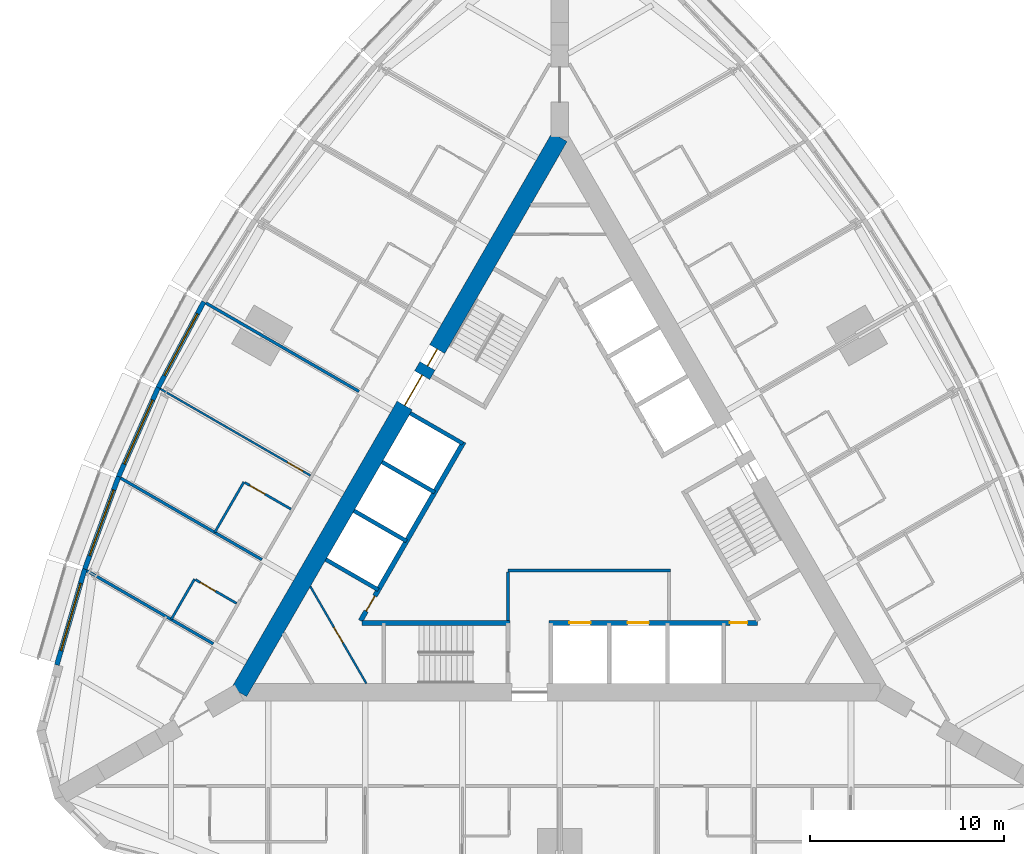
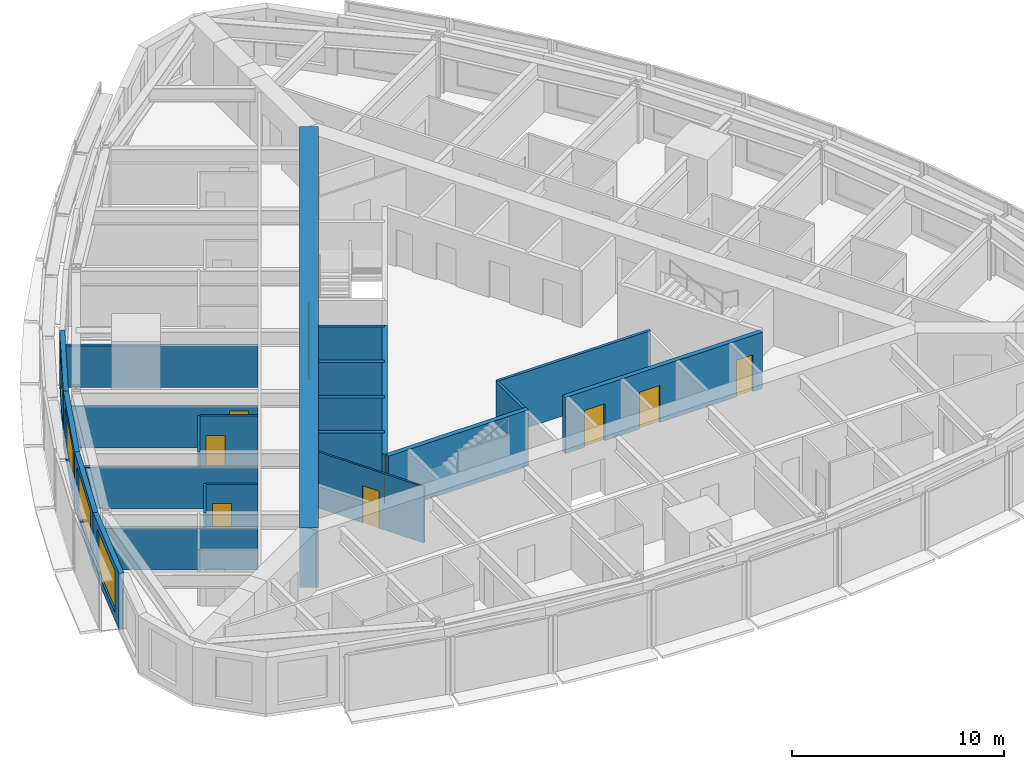
# One storey, part 9 of 14: 23 walls, 10 doors, 4 windows, 14 openings.
"""IFC4 building model written with IfcOpenShell, lengths in metres."""

from ifc_helpers import new_model, si_unit, direction, frame, frame_2d, origin, place, context, subcontext, project, spatial, rectangle, extrude, material, layer, layer_set, type_object, element, fill, save


model = new_model("IFC4")

# Units and contexts
model_context = context("Model", 3, precision=1e-05, world=origin(), true_north=direction((0.0, 1.0)))
body_context = subcontext(model_context, "Body", "Model", "MODEL_VIEW")
ifc_project = project(units=[si_unit("LENGTHUNIT", "METRE"), si_unit("AREAUNIT", "SQUARE_METRE"), si_unit("VOLUMEUNIT", "CUBIC_METRE"), si_unit("PLANEANGLEUNIT", "RADIAN"), si_unit("MASSUNIT", "GRAM", prefix="KILO")], contexts=[model_context])

# Site, building, storey
site_placement = place(None, origin())
site = spatial("IfcSite", under=ifc_project, at=site_placement, CompositionType="ELEMENT")
building_placement = place(site_placement, origin())
building = spatial("IfcBuilding", under=site, at=building_placement, Name="Trikona Tower", CompositionType="ELEMENT")
storey_placement = place(building_placement, frame((0.0, 0.0, 138.5)))
storey = spatial("IfcBuildingStorey", under=building, at=storey_placement, Name="L36", CompositionType="ELEMENT", Elevation=138.5)

# Wall
ifc_material_1 = material(Name="Metal stud and cement board", Category="gypsum")
ifc_layer_1 = layer(ifc_material_1, 0.1201171875)
ifc_layer_set_1 = layer_set([ifc_layer_1], Name="Bathroom wall 120")
wall_type_1 = type_object("IfcWallType", Name="Bathroom wall 120", PredefinedType="PLUMBINGWALL", material=ifc_layer_set_1)
wall_1_placement = place(storey_placement, frame((-16.25341796875, 1.301025390625, 0.0), z_axis=(0.0, 0.0, 1.0), x_axis=(-0.499990139034, -0.866031096941, 0.0)))
element("IfcWall", 1, at=wall_1_placement, inside=storey, type_object=wall_type_1, Name="Bathroom wall 3614.1", PredefinedType="PLUMBINGWALL", context=body_context, shape_type="SweptSolid", body=[
    extrude(rectangle(XDim=3.0, YDim=0.1201171875, at=frame_2d((1.5, 0.0))), origin(), (0.0, 0.0, 1.0), 3.235107421875),
])

# Wall, opening, door
wall_2_placement = place(storey_placement, frame((-13.82861328125, -0.09912109375, 0.0), z_axis=(0.0, 0.0, 1.0), x_axis=(-0.865997131366, 0.500048966069, 0.0)))
wall_2 = element("IfcWall", 2, at=wall_2_placement, inside=storey, type_object=wall_type_1, Name="Bathroom wall 3614.1", PredefinedType="PLUMBINGWALL", context=body_context, shape_type="SweptSolid", body=[
    extrude(rectangle(XDim=2.739990234375, YDim=0.1201171875, at=frame_2d((1.3701171875, 0.0))), origin(), (0.0, 0.0, 1.0), 3.235107421875),
])
opening_1_placement = place(wall_2_placement, frame((1.550048828125, 0.0, 0.0)))
opening_1 = element("IfcOpeningElement", 3, at=opening_1_placement, cuts=wall_2, Name="Opening D2", PredefinedType="OPENING", context=body_context, shape_type="SweptSolid", body=[
    extrude(rectangle(XDim=0.89990234375, YDim=2.1298828125, at=frame_2d((0.449951171875, 1.06494140625))), frame((0.0, 0.070068359375, 0.0), z_axis=(0.0, -1.0, 0.0), x_axis=(1.0, 0.0, 0.0)), (0.0, 0.0, 1.0), 0.14013671875),
])
ifc_material_2 = material(Name="Steel door frame with solid-core timber leaf", Category="steel")
door_type_1 = type_object("IfcDoorType", Name="Bathroom door 900x2130", OperationType="SLIDING_TO_LEFT", PredefinedType="DOOR", material=ifc_material_2)
door_1_placement = place(opening_1_placement, origin())
door_1 = element("IfcDoor", 4, at=door_1_placement, inside=storey, type_object=door_type_1, Name="Bathroom door 3614.1", OperationType="SLIDING_TO_LEFT", OverallHeight=2.1298828125, OverallWidth=0.89990234375, PredefinedType="DOOR", context=body_context, shape_type="SweptSolid", body=[
    extrude(rectangle(XDim=0.89990234375, YDim=2.1298828125, at=frame_2d((0.449951171875, 1.06494140625))), frame((0.0, 0.02490234375, 0.0), z_axis=(0.0, -1.0, 0.0), x_axis=(1.0, 0.0, 0.0)), (0.0, 0.0, 1.0), 0.050048828125),
])
fill(opening_1, door_1)

# Wall
wall_3_placement = place(storey_placement, frame((-18.79345703125, -3.69873046875, 0.0), z_axis=(0.0, 0.0, 1.0), x_axis=(-0.500001309137, -0.866024647952, 0.0)))
element("IfcWall", 5, at=wall_3_placement, inside=storey, type_object=wall_type_1, Name="Bathroom wall 3615", PredefinedType="PLUMBINGWALL", context=body_context, shape_type="SweptSolid", body=[
    extrude(rectangle(XDim=2.39990234375, YDim=0.1201171875, at=frame_2d((1.199951171875, 0.0))), origin(), (0.0, 0.0, 1.0), 3.235107421875),
])

# Wall, opening, door
wall_4_placement = place(storey_placement, frame((-16.62841796875, -4.94873046875, 0.0), z_axis=(0.0, 0.0, 1.0), x_axis=(-0.866048967903, 0.499959183527, 0.0)))
wall_4 = element("IfcWall", 6, at=wall_4_placement, inside=storey, type_object=wall_type_1, Name="Bathroom wall 3615", PredefinedType="PLUMBINGWALL", context=body_context, shape_type="SweptSolid", body=[
    extrude(rectangle(XDim=2.440185546875, YDim=0.1201171875, at=frame_2d((1.22021484375, 0.0))), origin(), (0.0, 0.0, 1.0), 3.235107421875),
])
opening_2_placement = place(wall_4_placement, frame((1.25, 0.0, 0.0)))
opening_2 = element("IfcOpeningElement", 7, at=opening_2_placement, cuts=wall_4, Name="Opening D2", PredefinedType="OPENING", context=body_context, shape_type="SweptSolid", body=[
    extrude(rectangle(XDim=0.89990234375, YDim=2.1298828125, at=frame_2d((0.449951171875, 1.06494140625))), frame((0.0, 0.070068359375, 0.0), z_axis=(0.0, -1.0, 0.0), x_axis=(1.0, 0.0, 0.0)), (0.0, 0.0, 1.0), 0.14013671875),
])
door_2_placement = place(opening_2_placement, origin())
door_2 = element("IfcDoor", 8, at=door_2_placement, inside=storey, type_object=door_type_1, Name="Bathroom door 3615", OperationType="SLIDING_TO_LEFT", OverallHeight=2.1298828125, OverallWidth=0.89990234375, PredefinedType="DOOR", context=body_context, shape_type="SweptSolid", body=[
    extrude(rectangle(XDim=0.89990234375, YDim=2.1298828125, at=frame_2d((0.449951171875, 1.06494140625))), frame((0.0, 0.02490234375, 0.0), z_axis=(0.0, -1.0, 0.0), x_axis=(1.0, 0.0, 0.0)), (0.0, 0.0, 1.0), 0.050048828125),
])
fill(opening_2, door_2)

# Wall, openings, doors
ifc_material_3 = material(Name="Concrete f'c 10000 psi", Category="concrete")
ifc_layer_2 = layer(ifc_material_3, 0.89990234375)
ifc_layer_set_2 = layer_set([ifc_layer_2], Name="Core wall 900")
wall_type_2 = type_object("IfcWallType", Name="Core wall 900", PredefinedType="SHEAR", material=ifc_layer_set_2)
wall_5_placement = place(storey_placement, frame((0.0, 19.052490234375, 0.0), z_axis=(0.0, 0.0, 1.0), x_axis=(-0.499999749417, -0.866025548458, 0.0)))
wall_5 = element("IfcWall", 9, at=wall_5_placement, inside=storey, type_object=wall_type_2, Name="Core wall C", PredefinedType="SHEAR", context=body_context, shape_type="SweptSolid", body=[
    extrude(rectangle(XDim=33.0, YDim=0.89990234375, at=frame_2d((16.5, 0.0))), origin(), (0.0, 0.0, 1.0), 3.39990234375),
])
opening_3_placement = place(wall_5_placement, frame((14.14990234375, 0.0, 0.0)))
opening_3 = element("IfcOpeningElement", 10, at=opening_3_placement, cuts=wall_5, Name="Opening D6", PredefinedType="OPENING", context=body_context, shape_type="SweptSolid", body=[
    extrude(rectangle(XDim=1.800048828125, YDim=2.1298828125, at=frame_2d((0.89990234375, 1.06494140625))), frame((0.0, 0.4599609375, 0.0), z_axis=(0.0, -1.0, 0.0), x_axis=(1.0, 0.0, 0.0)), (0.0, 0.0, 1.0), 0.919921875),
])
opening_4_placement = place(wall_5_placement, frame((12.60009765625, 0.0, 0.0)))
opening_4 = element("IfcOpeningElement", 11, at=opening_4_placement, cuts=wall_5, Name="Opening D5", PredefinedType="OPENING", context=body_context, shape_type="SweptSolid", body=[
    extrude(rectangle(XDim=1.0, YDim=2.1298828125, at=frame_2d((0.5, 1.06494140625))), frame((0.0, 0.4599609375, 0.0), z_axis=(0.0, -1.0, 0.0), x_axis=(1.0, 0.0, 0.0)), (0.0, 0.0, 1.0), 0.919921875),
])
ifc_material_4 = material(Name="Hollow metal door and frame", Category="steel")
door_type_2 = type_object("IfcDoorType", Name="Lobby door pair 1800x2130", OperationType="DOUBLE_DOOR_SINGLE_SWING", PredefinedType="DOOR", material=ifc_material_4)
door_3_placement = place(opening_3_placement, origin())
door_3 = element("IfcDoor", 12, at=door_3_placement, inside=storey, type_object=door_type_2, Name="Lift lobby door C", OperationType="DOUBLE_DOOR_SINGLE_SWING", OverallHeight=2.1298828125, OverallWidth=1.800048828125, PredefinedType="DOOR", context=body_context, shape_type="SweptSolid", body=[
    extrude(rectangle(XDim=1.800048828125, YDim=2.1298828125, at=frame_2d((0.89990234375, 1.06494140625))), frame((0.0, 0.02490234375, 0.0), z_axis=(0.0, -1.0, 0.0), x_axis=(1.0, 0.0, 0.0)), (0.0, 0.0, 1.0), 0.050048828125),
])
fill(opening_3, door_3)
ifc_material_5 = material(Name="Hollow metal door and frame", Category="steel")
door_type_3 = type_object("IfcDoorType", Name="Stair door 1000x2130", OperationType="SINGLE_SWING_LEFT", PredefinedType="DOOR", material=ifc_material_5)
door_4_placement = place(opening_4_placement, origin())
door_4 = element("IfcDoor", 13, at=door_4_placement, inside=storey, type_object=door_type_3, Name="Stair C door", OperationType="SINGLE_SWING_RIGHT", OverallHeight=2.1298828125, OverallWidth=1.0, PredefinedType="DOOR", context=body_context, shape_type="SweptSolid", body=[
    extrude(rectangle(XDim=1.0, YDim=2.1298828125, at=frame_2d((0.5, 1.06494140625))), frame((0.0, 0.02490234375, 0.0), z_axis=(0.0, -1.0, 0.0), x_axis=(1.0, 0.0, 0.0)), (0.0, 0.0, 1.0), 0.050048828125),
])
fill(opening_4, door_4)

# Wall
ifc_material_6 = material(Name="Concrete f'c 8000 psi", Category="concrete")
ifc_layer_3 = layer(ifc_material_6, 0.25)
ifc_layer_set_3 = layer_set([ifc_layer_3], Name="Hub wall 250")
wall_type_3 = type_object("IfcWallType", Name="Hub wall 250", PredefinedType="SOLIDWALL", material=ifc_layer_set_3)
wall_6_placement = place(storey_placement, frame((-10.182861328125, -5.951416015625, 0.0), z_axis=(0.0, 0.0, 1.0), x_axis=(1.0, 0.0, 0.0)))
element("IfcWall", 14, at=wall_6_placement, inside=storey, type_object=wall_type_3, Name="Lift lobby wall A1", PredefinedType="SOLIDWALL", context=body_context, shape_type="SweptSolid", body=[
    extrude(rectangle(XDim=7.6328125, YDim=0.25, at=frame_2d((3.81640625, 0.0))), origin(), (0.0, 0.0, 1.0), 3.235107421875),
])

# Wall, openings, doors
wall_7_placement = place(storey_placement, frame((-0.550048828125, -5.951416015625, 0.0), z_axis=(0.0, 0.0, 1.0), x_axis=(1.0, 0.0, 0.0)))
wall_7 = element("IfcWall", 15, at=wall_7_placement, inside=storey, type_object=wall_type_3, Name="Lift lobby wall A2", PredefinedType="SOLIDWALL", context=body_context, shape_type="SweptSolid", body=[
    extrude(rectangle(XDim=10.73291015625, YDim=0.25, at=frame_2d((5.366455078125, 0.0))), origin(), (0.0, 0.0, 1.0), 3.235107421875),
])
opening_5_placement = place(wall_7_placement, frame((9.31396484375, 0.0, 0.0)))
opening_5 = element("IfcOpeningElement", 16, at=opening_5_placement, cuts=wall_7, Name="Opening D14", PredefinedType="OPENING", context=body_context, shape_type="SweptSolid", body=[
    extrude(rectangle(XDim=0.89990234375, YDim=2.1298828125, at=frame_2d((0.449951171875, 1.06494140625))), frame((0.0, 0.135009765625, 0.0), z_axis=(0.0, -1.0, 0.0), x_axis=(1.0, 0.0, 0.0)), (0.0, 0.0, 1.0), 0.27001953125),
])
opening_6_placement = place(wall_7_placement, frame((1.050048828125, 0.0, 0.0)))
opening_6 = element("IfcOpeningElement", 17, at=opening_6_placement, cuts=wall_7, Name="Opening LD", PredefinedType="OPENING", context=body_context, shape_type="SweptSolid", body=[
    extrude(rectangle(XDim=1.10009765625, YDim=2.1298828125, at=frame_2d((0.550048828125, 1.06494140625))), frame((0.0, 0.135009765625, 0.0), z_axis=(0.0, -1.0, 0.0), x_axis=(1.0, 0.0, 0.0)), (0.0, 0.0, 1.0), 0.27001953125),
])
opening_7_placement = place(wall_7_placement, frame((4.050048828125, 0.0, 0.0)))
opening_7 = element("IfcOpeningElement", 18, at=opening_7_placement, cuts=wall_7, Name="Opening LD", PredefinedType="OPENING", context=body_context, shape_type="SweptSolid", body=[
    extrude(rectangle(XDim=1.10009765625, YDim=2.1298828125, at=frame_2d((0.550048828125, 1.06494140625))), frame((0.0, 0.135009765625, 0.0), z_axis=(0.0, -1.0, 0.0), x_axis=(1.0, 0.0, 0.0)), (0.0, 0.0, 1.0), 0.27001953125),
])
ifc_material_7 = material(Name="Stainless steel lift landing door", Category="steel")
door_type_4 = type_object("IfcDoorType", Name="Lift landing door 1100x2130", OperationType="DOUBLE_DOOR_SLIDING", PredefinedType="USERDEFINED", material=ifc_material_7)
door_5_placement = place(opening_6_placement, origin())
door_5 = element("IfcDoor", 19, at=door_5_placement, inside=storey, type_object=door_type_4, Name="Lift landing door FF1", ObjectType="LIFT LANDING DOOR", OperationType="DOUBLE_DOOR_SLIDING", OverallHeight=2.1298828125, OverallWidth=1.10009765625, PredefinedType="USERDEFINED", context=body_context, shape_type="SweptSolid", body=[
    extrude(rectangle(XDim=1.10009765625, YDim=2.1298828125, at=frame_2d((0.550048828125, 1.06494140625))), frame((0.0, 0.02490234375, 0.0), z_axis=(0.0, -1.0, 0.0), x_axis=(1.0, 0.0, 0.0)), (0.0, 0.0, 1.0), 0.050048828125),
])
fill(opening_6, door_5)
door_6_placement = place(opening_7_placement, origin())
door_6 = element("IfcDoor", 20, at=door_6_placement, inside=storey, type_object=door_type_4, Name="Lift landing door FF2", ObjectType="LIFT LANDING DOOR", OperationType="DOUBLE_DOOR_SLIDING", OverallHeight=2.1298828125, OverallWidth=1.10009765625, PredefinedType="USERDEFINED", context=body_context, shape_type="SweptSolid", body=[
    extrude(rectangle(XDim=1.10009765625, YDim=2.1298828125, at=frame_2d((0.550048828125, 1.06494140625))), frame((0.0, 0.02490234375, 0.0), z_axis=(0.0, -1.0, 0.0), x_axis=(1.0, 0.0, 0.0)), (0.0, 0.0, 1.0), 0.050048828125),
])
fill(opening_7, door_6)
ifc_material_8 = material(Name="Hollow metal door and frame", Category="steel")
door_type_5 = type_object("IfcDoorType", Name="Service room door 900x2130", OperationType="SINGLE_SWING_LEFT", PredefinedType="DOOR", material=ifc_material_8)
door_7_placement = place(opening_5_placement, origin())
door_7 = element("IfcDoor", 21, at=door_7_placement, inside=storey, type_object=door_type_5, Name="Door Ice and vending ICE", OperationType="SINGLE_SWING_RIGHT", OverallHeight=2.1298828125, OverallWidth=0.89990234375, PredefinedType="DOOR", context=body_context, shape_type="SweptSolid", body=[
    extrude(rectangle(XDim=0.89990234375, YDim=2.1298828125, at=frame_2d((0.449951171875, 1.06494140625))), frame((0.0, 0.02490234375, 0.0), z_axis=(0.0, -1.0, 0.0), x_axis=(1.0, 0.0, 0.0)), (0.0, 0.0, 1.0), 0.050048828125),
])
fill(opening_5, door_7)

# Wall, opening, door
wall_8_placement = place(storey_placement, frame((-4.928955078125, 3.365478515625, 0.0), z_axis=(0.0, 0.0, 1.0), x_axis=(-0.499991433582, -0.866030349552, 0.0)))
wall_8 = element("IfcWall", 22, at=wall_8_placement, inside=storey, type_object=wall_type_3, Name="Lift lobby wall C2", PredefinedType="SOLIDWALL", context=body_context, shape_type="SweptSolid", body=[
    extrude(rectangle(XDim=10.633056640625, YDim=0.25, at=frame_2d((5.31640625, 0.0))), origin(), (0.0, 0.0, 1.0), 3.235107421875),
])
opening_8_placement = place(wall_8_placement, frame((9.1640625, 0.0, 0.0)))
opening_8 = element("IfcOpeningElement", 23, at=opening_8_placement, cuts=wall_8, Name="Opening D14", PredefinedType="OPENING", context=body_context, shape_type="SweptSolid", body=[
    extrude(rectangle(XDim=0.89990234375, YDim=2.1298828125, at=frame_2d((0.449951171875, 1.06494140625))), frame((0.0, 0.135009765625, 0.0), z_axis=(0.0, -1.0, 0.0), x_axis=(1.0, 0.0, 0.0)), (0.0, 0.0, 1.0), 0.27001953125),
])
door_8_placement = place(opening_8_placement, origin())
door_8 = element("IfcDoor", 24, at=door_8_placement, inside=storey, type_object=door_type_5, Name="Door Linen store LIN", OperationType="SINGLE_SWING_RIGHT", OverallHeight=2.1298828125, OverallWidth=0.89990234375, PredefinedType="DOOR", context=body_context, shape_type="SweptSolid", body=[
    extrude(rectangle(XDim=0.89990234375, YDim=2.1298828125, at=frame_2d((0.449951171875, 1.06494140625))), frame((0.0, 0.02490234375, 0.0), z_axis=(0.0, -1.0, 0.0), x_axis=(1.0, 0.0, 0.0)), (0.0, 0.0, 1.0), 0.050048828125),
])
fill(opening_8, door_8)

# Wall, opening, window
ifc_material_9 = material(Name="Insulated precast concrete spandrel panel", Category="concrete")
ifc_layer_4 = layer(ifc_material_9, 0.25)
ifc_layer_set_4 = layer_set([ifc_layer_4], Name="Inner skin wall 250")
wall_type_4 = type_object("IfcWallType", Name="Inner skin wall 250", PredefinedType="STANDARD", material=ifc_layer_set_4)
wall_9_placement = place(storey_placement, frame((-18.314453125, 10.578857421875, 0.0), z_axis=(0.0, 0.0, 1.0), x_axis=(-0.469404966864, -0.882982999317, 0.0)))
wall_9 = element("IfcWall", 25, at=wall_9_placement, inside=storey, type_object=wall_type_4, Name="External wall L36-28", PredefinedType="STANDARD", context=body_context, shape_type="SweptSolid", body=[
    extrude(rectangle(XDim=5.0029296875, YDim=0.25, at=frame_2d((2.50146484375, 0.0))), origin(), (0.0, 0.0, 1.0), 3.235107421875),
])
opening_9_placement = place(wall_9_placement, frame((0.701416015625, 0.0, 0.449951171875)))
opening_9 = element("IfcOpeningElement", 26, at=opening_9_placement, cuts=wall_9, Name="Opening W3624", PredefinedType="OPENING", context=body_context, shape_type="SweptSolid", body=[
    extrude(rectangle(XDim=3.60009765625, YDim=2.39990234375, at=frame_2d((1.800048828125, 1.199951171875))), frame((0.0, 0.135009765625, 0.0), z_axis=(0.0, -1.0, 0.0), x_axis=(1.0, 0.0, 0.0)), (0.0, 0.0, 1.0), 0.27001953125),
])
ifc_material_10 = material(Name="Aluminium-framed double glazing", Category="aluminium")
window_type = type_object("IfcWindowType", Name="Window 3600x2400", PartitioningType="SINGLE_PANEL", PredefinedType="WINDOW", material=ifc_material_10)
window_1_placement = place(opening_9_placement, origin())
window_1 = element("IfcWindow", 27, at=window_1_placement, inside=storey, type_object=window_type, Name="Window 3614", OverallHeight=2.39990234375, OverallWidth=3.60009765625, PartitioningType="SINGLE_PANEL", PredefinedType="WINDOW", context=body_context, shape_type="SweptSolid", body=[
    extrude(rectangle(XDim=3.60009765625, YDim=2.39990234375, at=frame_2d((1.800048828125, 1.199951171875))), frame((0.0, 0.030029296875, 0.0), z_axis=(0.0, -1.0, 0.0), x_axis=(1.0, 0.0, 0.0)), (0.0, 0.0, 1.0), 0.06005859375),
])
fill(opening_9, window_1)

wall_10_placement = place(storey_placement, frame((-20.6591796875, 6.169189453125, 0.0), z_axis=(0.0, 0.0, 1.0), x_axis=(-0.406832200364, -0.913502906808, 0.0)))
wall_10 = element("IfcWall", 28, at=wall_10_placement, inside=storey, type_object=wall_type_4, Name="External wall L36-29", PredefinedType="STANDARD", context=body_context, shape_type="SweptSolid", body=[
    extrude(rectangle(XDim=5.027587890625, YDim=0.25, at=frame_2d((2.513671875, 0.0))), origin(), (0.0, 0.0, 1.0), 3.235107421875),
])
opening_10_placement = place(wall_10_placement, frame((0.713623046875, 0.0, 0.449951171875)))
opening_10 = element("IfcOpeningElement", 29, at=opening_10_placement, cuts=wall_10, Name="Opening W3624", PredefinedType="OPENING", context=body_context, shape_type="SweptSolid", body=[
    extrude(rectangle(XDim=3.60009765625, YDim=2.39990234375, at=frame_2d((1.800048828125, 1.199951171875))), frame((0.0, 0.135009765625, 0.0), z_axis=(0.0, -1.0, 0.0), x_axis=(1.0, 0.0, 0.0)), (0.0, 0.0, 1.0), 0.27001953125),
])
window_2_placement = place(opening_10_placement, origin())
window_2 = element("IfcWindow", 30, at=window_2_placement, inside=storey, type_object=window_type, Name="Window 3614.1", OverallHeight=2.39990234375, OverallWidth=3.60009765625, PartitioningType="SINGLE_PANEL", PredefinedType="WINDOW", context=body_context, shape_type="SweptSolid", body=[
    extrude(rectangle(XDim=3.60009765625, YDim=2.39990234375, at=frame_2d((1.800048828125, 1.199951171875))), frame((0.0, 0.030029296875, 0.0), z_axis=(0.0, -1.0, 0.0), x_axis=(1.0, 0.0, 0.0)), (0.0, 0.0, 1.0), 0.06005859375),
])
fill(opening_10, window_2)

wall_11_placement = place(storey_placement, frame((-22.701416015625, 1.58447265625, 0.0), z_axis=(0.0, 0.0, 1.0), x_axis=(-0.343225593282, -0.939252996863, 0.0)))
wall_11 = element("IfcWall", 31, at=wall_11_placement, inside=storey, type_object=wall_type_4, Name="External wall L36-30", PredefinedType="STANDARD", context=body_context, shape_type="SweptSolid", body=[
    extrude(rectangle(XDim=5.075927734375, YDim=0.25, at=frame_2d((2.5380859375, 0.0))), origin(), (0.0, 0.0, 1.0), 3.235107421875),
])
opening_11_placement = place(wall_11_placement, frame((0.738037109375, 0.0, 0.449951171875)))
opening_11 = element("IfcOpeningElement", 32, at=opening_11_placement, cuts=wall_11, Name="Opening W3624", PredefinedType="OPENING", context=body_context, shape_type="SweptSolid", body=[
    extrude(rectangle(XDim=3.60009765625, YDim=2.39990234375, at=frame_2d((1.800048828125, 1.199951171875))), frame((0.0, 0.135009765625, 0.0), z_axis=(0.0, -1.0, 0.0), x_axis=(1.0, 0.0, 0.0)), (0.0, 0.0, 1.0), 0.27001953125),
])
window_3_placement = place(opening_11_placement, origin())
window_3 = element("IfcWindow", 33, at=window_3_placement, inside=storey, type_object=window_type, Name="Window 3615", OverallHeight=2.39990234375, OverallWidth=3.60009765625, PartitioningType="SINGLE_PANEL", PredefinedType="WINDOW", context=body_context, shape_type="SweptSolid", body=[
    extrude(rectangle(XDim=3.60009765625, YDim=2.39990234375, at=frame_2d((1.800048828125, 1.199951171875))), frame((0.0, 0.030029296875, 0.0), z_axis=(0.0, -1.0, 0.0), x_axis=(1.0, 0.0, 0.0)), (0.0, 0.0, 1.0), 0.06005859375),
])
fill(opening_11, window_3)

wall_12_placement = place(storey_placement, frame((-24.44091796875, -3.17529296875, 0.0), z_axis=(0.0, 0.0, 1.0), x_axis=(-0.279528287117, -0.960137457191, 0.0)))
wall_12 = element("IfcWall", 34, at=wall_12_placement, inside=storey, type_object=wall_type_4, Name="External wall L36-31", PredefinedType="STANDARD", context=body_context, shape_type="SweptSolid", body=[
    extrude(rectangle(XDim=5.14794921875, YDim=0.25, at=frame_2d((2.573974609375, 0.0))), origin(), (0.0, 0.0, 1.0), 3.235107421875),
])
opening_12_placement = place(wall_12_placement, frame((0.77392578125, 0.0, 0.449951171875)))
opening_12 = element("IfcOpeningElement", 35, at=opening_12_placement, cuts=wall_12, Name="Opening W3624", PredefinedType="OPENING", context=body_context, shape_type="SweptSolid", body=[
    extrude(rectangle(XDim=3.60009765625, YDim=2.39990234375, at=frame_2d((1.800048828125, 1.199951171875))), frame((0.0, 0.135009765625, 0.0), z_axis=(0.0, -1.0, 0.0), x_axis=(1.0, 0.0, 0.0)), (0.0, 0.0, 1.0), 0.27001953125),
])
window_4_placement = place(opening_12_placement, origin())
window_4 = element("IfcWindow", 36, at=window_4_placement, inside=storey, type_object=window_type, Name="Window 3616", OverallHeight=2.39990234375, OverallWidth=3.60009765625, PartitioningType="SINGLE_PANEL", PredefinedType="WINDOW", context=body_context, shape_type="SweptSolid", body=[
    extrude(rectangle(XDim=3.60009765625, YDim=2.39990234375, at=frame_2d((1.800048828125, 1.199951171875))), frame((0.0, 0.030029296875, 0.0), z_axis=(0.0, -1.0, 0.0), x_axis=(1.0, 0.0, 0.0)), (0.0, 0.0, 1.0), 0.06005859375),
])
fill(opening_12, window_4)

# Walls
ifc_material_11 = material(Name="Metal stud and gypsum board, 2-hour shaft wall", Category="gypsum")
ifc_layer_5 = layer(ifc_material_11, 0.14990234375)
ifc_layer_set_5 = layer_set([ifc_layer_5], Name="Lobby wall 150")
wall_type_5 = type_object("IfcWallType", Name="Lobby wall 150", PredefinedType="PARTITIONING", material=ifc_layer_set_5)
wall_13_placement = place(storey_placement, frame((-2.64990234375, -3.251220703125, 0.0), z_axis=(0.0, 0.0, 1.0), x_axis=(1.0, 0.0, 0.0)))
element("IfcWall", 37, at=wall_13_placement, inside=storey, type_object=wall_type_5, Name="Fire service lift lobby wall 1", PredefinedType="PARTITIONING", context=body_context, shape_type="SweptSolid", body=[
    extrude(rectangle(XDim=8.349853515625, YDim=0.14990234375, at=frame_2d((4.1748046875, 0.0))), origin(), (0.0, 0.0, 1.0), 3.235107421875),
])
wall_14_placement = place(storey_placement, frame((-2.64990234375, -5.826416015625, 0.0), z_axis=(0.0, 0.0, 1.0), x_axis=(0.0, 1.0, 0.0)))
element("IfcWall", 38, at=wall_14_placement, inside=storey, type_object=wall_type_5, Name="Fire service lift lobby wall 2", PredefinedType="PARTITIONING", context=body_context, shape_type="SweptSolid", body=[
    extrude(rectangle(XDim=2.5, YDim=0.14990234375, at=frame_2d((1.25, 0.0))), origin(), (0.0, 0.0, 1.0), 3.235107421875),
])
ifc_material_12 = material(Name="Metal stud and gypsum board, 1-hour acoustic", Category="gypsum")
ifc_layer_6 = layer(ifc_material_12, 0.14990234375)
ifc_layer_set_6 = layer_set([ifc_layer_6], Name="Party wall 150")
wall_type_6 = type_object("IfcWallType", Name="Party wall 150", PredefinedType="PARTITIONING", material=ifc_layer_set_6)
wall_15_placement = place(storey_placement, frame((-10.32861328125, 5.963134765625, 0.0), z_axis=(0.0, 0.0, 1.0), x_axis=(-0.866025170687, 0.500000403736, 0.0)))
element("IfcWall", 39, at=wall_15_placement, inside=storey, type_object=wall_type_6, Name="Partition L36 F3 u0", PredefinedType="PARTITIONING", context=body_context, shape_type="SweptSolid", body=[
    extrude(rectangle(XDim=9.0986328125, YDim=0.14990234375, at=frame_2d((4.54931640625, 0.0))), origin(), (0.0, 0.0, 1.0), 2.38916015625),
])
wall_16_placement = place(storey_placement, frame((-15.32861328125, -2.697021484375, 0.0), z_axis=(0.0, 0.0, 1.0), x_axis=(-0.866024316602, 0.50000188305, 0.0)))
element("IfcWall", 40, at=wall_16_placement, inside=storey, type_object=wall_type_6, Name="Partition L36 F3 u10", PredefinedType="PARTITIONING", context=body_context, shape_type="SweptSolid", body=[
    extrude(rectangle(XDim=8.39501953125, YDim=0.14990234375, at=frame_2d((4.197509765625, 0.0))), origin(), (0.0, 0.0, 1.0), 2.38916015625),
])
wall_17_placement = place(storey_placement, frame((-17.82861328125, -7.027099609375, 0.0), z_axis=(0.0, 0.0, 1.0), x_axis=(-0.866029804378, 0.499992377871, 0.0)))
element("IfcWall", 41, at=wall_17_placement, inside=storey, type_object=wall_type_6, Name="Partition L36 F3 u15", PredefinedType="PARTITIONING", context=body_context, shape_type="SweptSolid", body=[
    extrude(rectangle(XDim=7.51611328125, YDim=0.14990234375, at=frame_2d((3.758056640625, 0.0))), origin(), (0.0, 0.0, 1.0), 2.38916015625),
])
ifc_material_13 = material(Name="Concrete f'c 8000 psi", Category="concrete")
ifc_layer_7 = layer(ifc_material_13, 0.199951171875)
ifc_layer_set_7 = layer_set([ifc_layer_7], Name="Shaft wall 200")
wall_type_7 = type_object("IfcWallType", Name="Shaft wall 200", PredefinedType="SOLIDWALL", material=ifc_layer_set_7)
for number, where, z_axis, x_axis, name in (
    (42, (-4.97900390625, 3.27880859375, 0.0), (0.0, 0.0, 1.0), (-0.866022959057, 0.500004234368, 0.0), "Shaft wall C3"),
    (43, (-6.428955078125, 0.767333984375, 0.0), (0.0, 0.0, 1.0), (-0.866022959057, 0.500004234368, 0.0), "Shaft wall C4"),
    (44, (-7.87890625, -1.744140625, 0.0), (0.0, 0.0, 1.0), (-0.866022959057, 0.500004234368, 0.0), "Shaft wall C5"),
    (45, (-9.3291015625, -4.255615234375, 0.0), (0.0, 0.0, 1.0), (-0.866022959057, 0.500004234368, 0.0), "Shaft wall C6"),
):
    element("IfcWall", number, at=place(storey_placement, frame(where, z_axis=z_axis, x_axis=x_axis)), inside=storey, type_object=wall_type_7, Name=name, PredefinedType="SOLIDWALL", context=body_context, shape_type="SweptSolid", body=[
        extrude(rectangle(XDim=3.125, YDim=0.199951171875, at=frame_2d((1.5625, 0.0))), origin(), (0.0, 0.0, 1.0), 3.235107421875),
    ])

# Wall, opening, door
ifc_material_14 = material(Name="Metal stud and gypsum board, acoustic", Category="gypsum")
ifc_layer_8 = layer(ifc_material_14, 0.10009765625)
ifc_layer_set_8 = layer_set([ifc_layer_8], Name="Suite partition 100")
wall_type_8 = type_object("IfcWallType", Name="Suite partition 100", PredefinedType="PARTITIONING", material=ifc_layer_set_8)
wall_18_placement = place(storey_placement, frame((-12.82861328125, 1.633056640625, 0.0), z_axis=(0.0, 0.0, 1.0), x_axis=(-0.866027015393, 0.499997208602, 0.0)))
wall_18 = element("IfcWall", 46, at=wall_18_placement, inside=storey, type_object=wall_type_8, Name="Suite partition L36 F3 u5", PredefinedType="PARTITIONING", context=body_context, shape_type="SweptSolid", body=[
    extrude(rectangle(XDim=8.92236328125, YDim=0.10009765625, at=frame_2d((4.461181640625, 0.0))), origin(), (0.0, 0.0, 1.0), 2.38916015625),
])
opening_13_placement = place(wall_18_placement, frame((0.449951171875, 0.0, 0.0)))
opening_13 = element("IfcOpeningElement", 47, at=opening_13_placement, cuts=wall_18, Name="Opening D13", PredefinedType="OPENING", context=body_context, shape_type="SweptSolid", body=[
    extrude(rectangle(XDim=0.89990234375, YDim=2.1298828125, at=frame_2d((0.449951171875, 1.06494140625))), frame((0.0, 0.06005859375, 0.0), z_axis=(0.0, -1.0, 0.0), x_axis=(1.0, 0.0, 0.0)), (0.0, 0.0, 1.0), 0.1201171875),
])
ifc_material_15 = material(Name="Steel door frame with solid-core timber leaf", Category="steel")
door_type_6 = type_object("IfcDoorType", Name="Suite door 900x2130", OperationType="SINGLE_SWING_LEFT", PredefinedType="DOOR", material=ifc_material_15)
door_9_placement = place(opening_13_placement, origin())
door_9 = element("IfcDoor", 48, at=door_9_placement, inside=storey, type_object=door_type_6, Name="Suite door 3614", OperationType="SINGLE_SWING_LEFT", OverallHeight=2.1298828125, OverallWidth=0.89990234375, PredefinedType="DOOR", context=body_context, shape_type="SweptSolid", body=[
    extrude(rectangle(XDim=0.89990234375, YDim=2.1298828125, at=frame_2d((0.449951171875, 1.06494140625))), frame((0.0, 0.02490234375, 0.0), z_axis=(0.0, -1.0, 0.0), x_axis=(1.0, 0.0, 0.0)), (0.0, 0.0, 1.0), 0.050048828125),
])
fill(opening_13, door_9)

wall_19_placement = place(storey_placement, frame((-9.947021484375, -9.076416015625, 0.0), z_axis=(0.0, 0.0, 1.0), x_axis=(-0.500027479704, 0.866009537788, 0.0)))
wall_19 = element("IfcWall", 49, at=wall_19_placement, inside=storey, type_object=wall_type_8, Name="Store partition L36-RS3", PredefinedType="PARTITIONING", context=body_context, shape_type="SweptSolid", body=[
    extrude(rectangle(XDim=5.773681640625, YDim=0.10009765625, at=frame_2d((2.88671875, 0.0))), origin(), (0.0, 0.0, 1.0), 3.235107421875),
])
opening_14_placement = place(wall_19_placement, frame((2.436767578125, 0.0, 0.0)))
opening_14 = element("IfcOpeningElement", 50, at=opening_14_placement, cuts=wall_19, Name="Opening D15", PredefinedType="OPENING", context=body_context, shape_type="SweptSolid", body=[
    extrude(rectangle(XDim=0.89990234375, YDim=2.1298828125, at=frame_2d((0.449951171875, 1.06494140625))), frame((0.0, 0.06005859375, 0.0), z_axis=(0.0, -1.0, 0.0), x_axis=(1.0, 0.0, 0.0)), (0.0, 0.0, 1.0), 0.1201171875),
])
ifc_material_16 = material(Name="Steel door frame with solid-core timber leaf", Category="steel")
door_type_7 = type_object("IfcDoorType", Name="Store door 900x2130", OperationType="SINGLE_SWING_LEFT", PredefinedType="DOOR", material=ifc_material_16)
door_10_placement = place(opening_14_placement, origin())
door_10 = element("IfcDoor", 51, at=door_10_placement, inside=storey, type_object=door_type_7, Name="Door Amenity store AMS", OperationType="SINGLE_SWING_RIGHT", OverallHeight=2.1298828125, OverallWidth=0.89990234375, PredefinedType="DOOR", context=body_context, shape_type="SweptSolid", body=[
    extrude(rectangle(XDim=0.89990234375, YDim=2.1298828125, at=frame_2d((0.449951171875, 1.06494140625))), frame((0.0, 0.02490234375, 0.0), z_axis=(0.0, -1.0, 0.0), x_axis=(1.0, 0.0, 0.0)), (0.0, 0.0, 1.0), 0.050048828125),
])
fill(opening_14, door_10)

save(model, "model.ifc")
